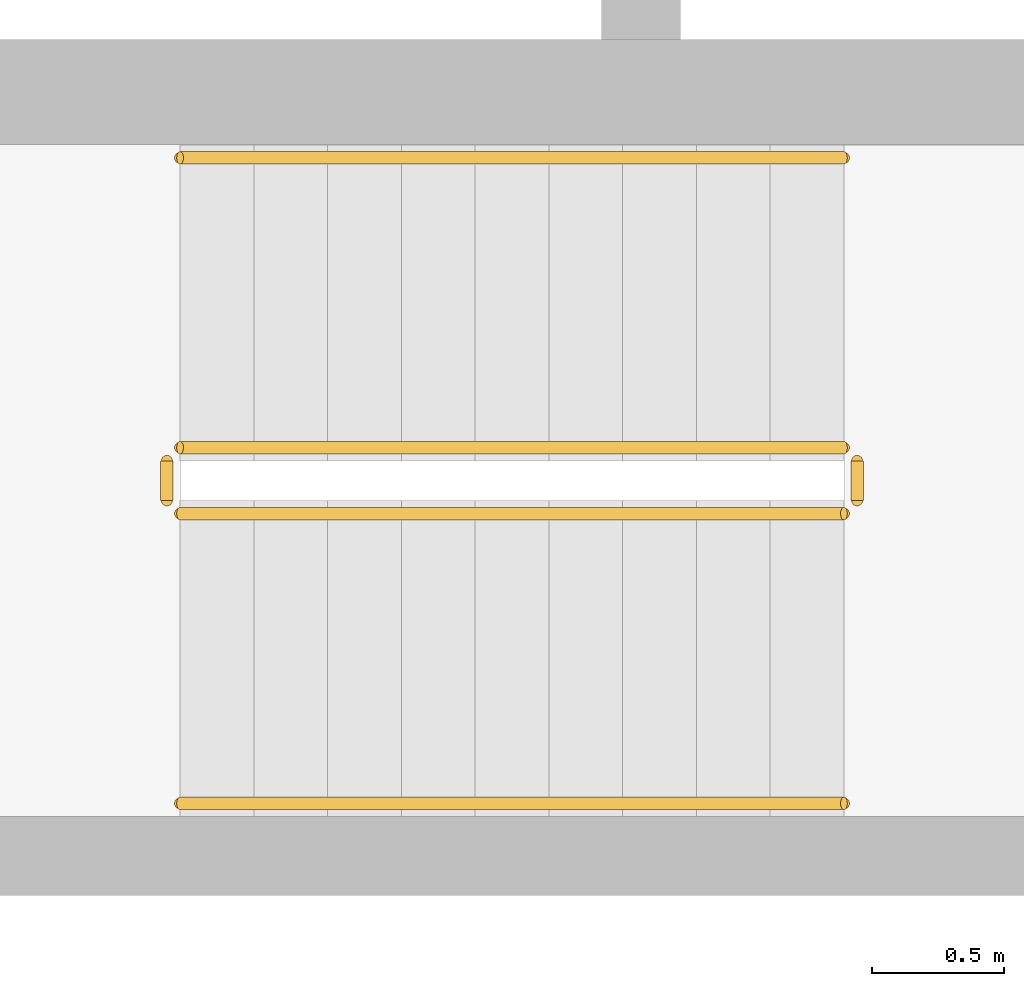
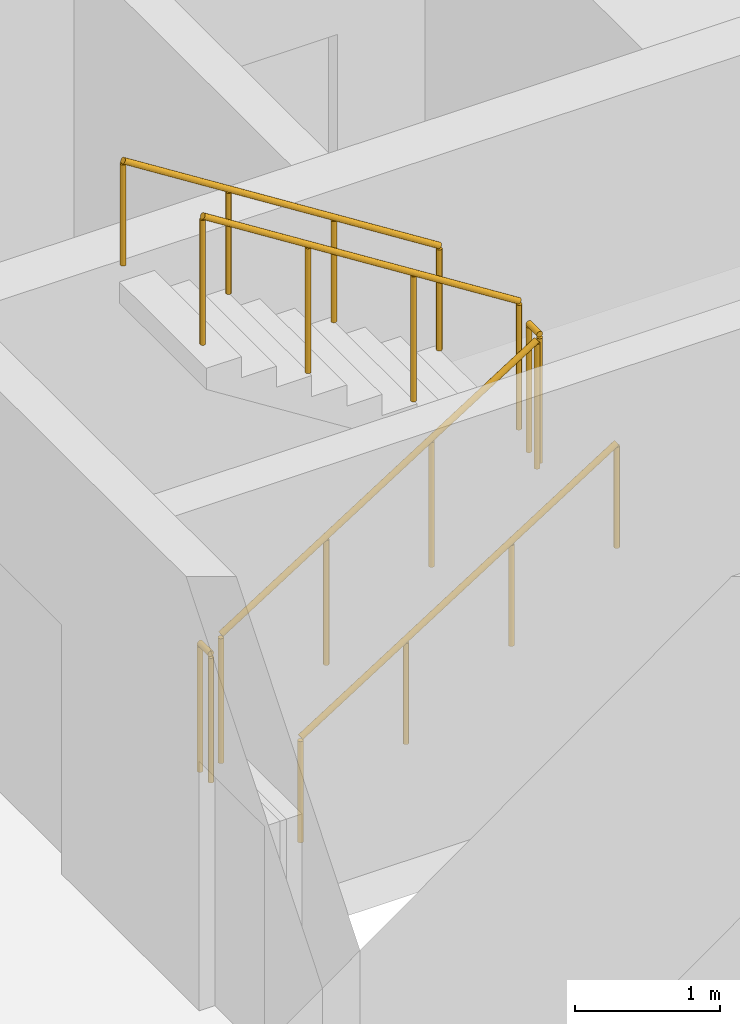
# One storey, part 15 of 18: 6 railings.
"""IFC4 building model written with IfcOpenShell, lengths in metres."""

from ifc_helpers import new_model, si_unit, direction, frame, origin, origin_2d, place, context, subcontext, project, spatial, circle, extrude, material, type_object, element, save


model = new_model("IFC4")

# Units and contexts
model_context = context("Model", 3, precision=1e-05, world=origin(), true_north=direction((0.0, 1.0)))
body_context = subcontext(model_context, "Body", "Model", "MODEL_VIEW")
ifc_project = project(units=[si_unit("LENGTHUNIT", "METRE"), si_unit("AREAUNIT", "SQUARE_METRE"), si_unit("VOLUMEUNIT", "CUBIC_METRE"), si_unit("PLANEANGLEUNIT", "RADIAN"), si_unit("MASSUNIT", "GRAM", prefix="KILO")], contexts=[model_context])

# Site, building, storey
site_placement = place(None, origin())
site = spatial("IfcSite", under=ifc_project, at=site_placement, CompositionType="ELEMENT")
building_placement = place(site_placement, origin())
building = spatial("IfcBuilding", under=site, at=building_placement, Name="Ostrand Prow Hotel Tower", CompositionType="ELEMENT")
storey_placement = place(building_placement, frame((0.0, 0.0, 57.35009765625)))
storey = spatial("IfcBuildingStorey", under=building, at=storey_placement, Name="L12", CompositionType="ELEMENT", Elevation=57.35009765625)

# Railings
ifc_material_1 = material(Name="Painted steel", Category="steel")
railing_type_1 = type_object("IfcRailingType", Name="Stair guard 1100", PredefinedType="GUARDRAIL", material=ifc_material_1)
railing_1_placement = place(storey_placement, frame((57.199951171875, -11.75, 0.177490234375)))
element("IfcRailing", 1, at=railing_1_placement, inside=storey, type_object=railing_type_1, Name="L12 ST2C stair guard 1", PredefinedType="GUARDRAIL", context=body_context, shape_type="SweptSolid", body=[
    extrude(circle(Radius=0.02392578125, at=origin_2d()), frame((0.0, 0.0, 1.076171875), z_axis=(0.84460694969, 0.0, 0.535386869969), x_axis=(0.0, 1.0, 0.0)), (0.0, 0.0, 1.0), 2.983642578125),
    extrude(circle(Radius=0.02099609375, at=origin_2d()), origin(), (0.0, 0.0, 1.0), 1.052001953125),
    extrude(circle(Radius=0.02099609375, at=origin_2d()), frame((0.840087890625, 0.0, 0.532470703125)), (0.0, 0.0, 1.0), 1.052001953125),
    extrude(circle(Radius=0.02099609375, at=origin_2d()), frame((1.679931640625, 0.0, 1.06494140625)), (0.0, 0.0, 1.0), 1.052001953125),
    extrude(circle(Radius=0.02099609375, at=origin_2d()), frame((2.52001953125, 0.0, 1.597412109375)), (0.0, 0.0, 1.0), 1.052001953125),
])
railing_2_placement = place(storey_placement, frame((59.77001953125, -11.699951171875, 1.77490234375)))
element("IfcRailing", 2, at=railing_2_placement, inside=storey, type_object=railing_type_1, Name="L12 ST2C stair guard 2", PredefinedType="GUARDRAIL", context=body_context, shape_type="SweptSolid", body=[
    extrude(circle(Radius=0.02392578125, at=origin_2d()), frame((0.0, 0.0, 1.076171875), z_axis=(0.0, 1.0, 0.0), x_axis=(-1.0, 0.0, 0.0)), (0.0, 0.0, 1.0), 0.14990234375),
    extrude(circle(Radius=0.02099609375, at=origin_2d()), origin(), (0.0, 0.0, 1.0), 1.052001953125),
    extrude(circle(Radius=0.02099609375, at=origin_2d()), frame((0.0, 0.14990234375, 0.0)), (0.0, 0.0, 1.0), 1.052001953125),
])
railing_3_placement = place(storey_placement, frame((59.719970703125, -11.5, 1.952392578125)))
element("IfcRailing", 3, at=railing_3_placement, inside=storey, type_object=railing_type_1, Name="L12 ST2C stair guard 3", PredefinedType="GUARDRAIL", context=body_context, shape_type="SweptSolid", body=[
    extrude(circle(Radius=0.02392578125, at=origin_2d()), frame((0.0, 0.0, 1.076171875), z_axis=(-0.84460694969, 0.0, 0.535386869969), x_axis=(0.0, -1.0, 0.0)), (0.0, 0.0, 1.0), 2.983642578125),
    extrude(circle(Radius=0.02099609375, at=origin_2d()), origin(), (0.0, 0.0, 1.0), 1.052001953125),
    extrude(circle(Radius=0.02099609375, at=origin_2d()), frame((-0.840087890625, 0.0, 0.532470703125)), (0.0, 0.0, 1.0), 1.052001953125),
    extrude(circle(Radius=0.02099609375, at=origin_2d()), frame((-1.679931640625, 0.0, 1.06494140625)), (0.0, 0.0, 1.0), 1.052001953125),
    extrude(circle(Radius=0.02099609375, at=origin_2d()), frame((-2.52001953125, 0.0, 1.597412109375)), (0.0, 0.0, 1.0), 1.052001953125),
])
railing_4_placement = place(storey_placement, frame((57.14990234375, -11.699951171875, 0.0)))
element("IfcRailing", 4, at=railing_4_placement, inside=storey, type_object=railing_type_1, Name="L12 ST2C stair guard 4", PredefinedType="GUARDRAIL", context=body_context, shape_type="SweptSolid", body=[
    extrude(circle(Radius=0.02392578125, at=origin_2d()), frame((0.0, 0.0, 1.076171875), z_axis=(0.0, 1.0, 0.0), x_axis=(-1.0, 0.0, 0.0)), (0.0, 0.0, 1.0), 0.14990234375),
    extrude(circle(Radius=0.02099609375, at=origin_2d()), origin(), (0.0, 0.0, 1.0), 1.052001953125),
    extrude(circle(Radius=0.02099609375, at=origin_2d()), frame((0.0, 0.14990234375, 0.0)), (0.0, 0.0, 1.0), 1.052001953125),
])
ifc_material_2 = material(Name="Stainless steel", Category="steel")
railing_type_2 = type_object("IfcRailingType", Name="Stair handrail 900", PredefinedType="HANDRAIL", material=ifc_material_2)
railing_5_placement = place(storey_placement, frame((57.199951171875, -12.85009765625, 0.177490234375)))
element("IfcRailing", 5, at=railing_5_placement, inside=storey, type_object=railing_type_2, Name="L12 ST2C stair handrail 1", PredefinedType="HANDRAIL", context=body_context, shape_type="SweptSolid", body=[
    extrude(circle(Radius=0.02392578125, at=origin_2d()), frame((0.0, 0.0, 0.8759765625), z_axis=(0.84460694969, 0.0, 0.535386869969), x_axis=(0.0, 1.0, 0.0)), (0.0, 0.0, 1.0), 2.983642578125),
    extrude(circle(Radius=0.02099609375, at=origin_2d()), origin(), (0.0, 0.0, 1.0), 0.851806640625),
    extrude(circle(Radius=0.02099609375, at=origin_2d()), frame((0.840087890625, 0.0, 0.532470703125)), (0.0, 0.0, 1.0), 0.851806640625),
    extrude(circle(Radius=0.02099609375, at=origin_2d()), frame((1.679931640625, 0.0, 1.06494140625)), (0.0, 0.0, 1.0), 0.851806640625),
    extrude(circle(Radius=0.02099609375, at=origin_2d()), frame((2.52001953125, 0.0, 1.597412109375)), (0.0, 0.0, 1.0), 0.851806640625),
])
railing_6_placement = place(storey_placement, frame((59.719970703125, -10.39990234375, 1.952392578125)))
element("IfcRailing", 6, at=railing_6_placement, inside=storey, type_object=railing_type_2, Name="L12 ST2C stair handrail 2", PredefinedType="HANDRAIL", context=body_context, shape_type="SweptSolid", body=[
    extrude(circle(Radius=0.02392578125, at=origin_2d()), frame((0.0, 0.0, 0.8759765625), z_axis=(-0.84460694969, 0.0, 0.535386869969), x_axis=(0.0, -1.0, 0.0)), (0.0, 0.0, 1.0), 2.983642578125),
    extrude(circle(Radius=0.02099609375, at=origin_2d()), origin(), (0.0, 0.0, 1.0), 0.851806640625),
    extrude(circle(Radius=0.02099609375, at=origin_2d()), frame((-0.840087890625, 0.0, 0.532470703125)), (0.0, 0.0, 1.0), 0.851806640625),
    extrude(circle(Radius=0.02099609375, at=origin_2d()), frame((-1.679931640625, 0.0, 1.06494140625)), (0.0, 0.0, 1.0), 0.851806640625),
    extrude(circle(Radius=0.02099609375, at=origin_2d()), frame((-2.52001953125, 0.0, 1.597412109375)), (0.0, 0.0, 1.0), 0.851806640625),
])

save(model, "model.ifc")
